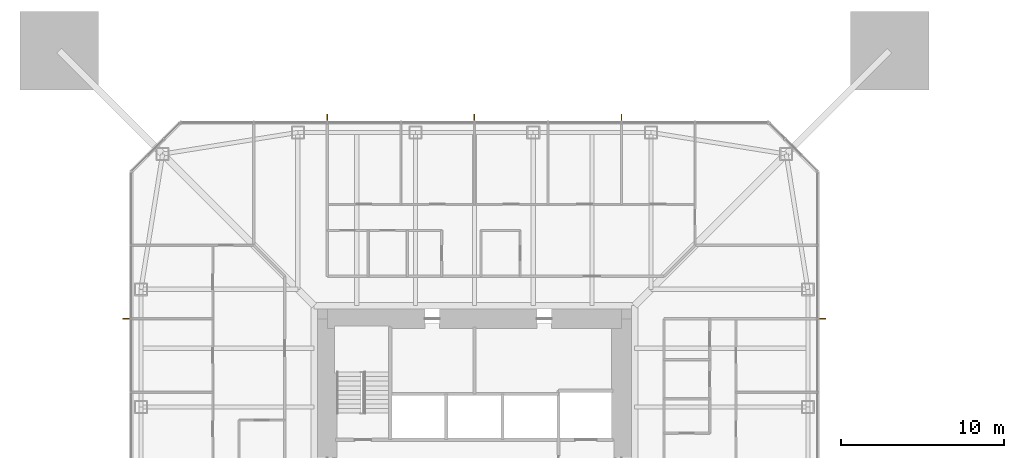
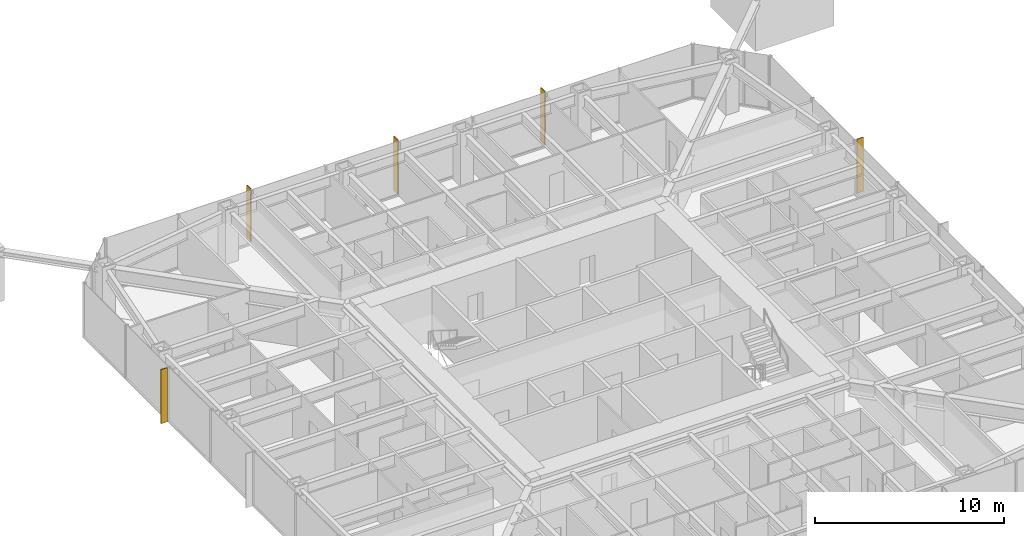
# One storey, part 24 of 25: 5 shading devices.
"""IFC4 building model written with IfcOpenShell, lengths in metres."""

from ifc_helpers import new_model, si_unit, direction, frame, origin, origin_2d, place, context, subcontext, project, spatial, rectangle, extrude, material, layer, layer_set, type_object, element, save


model = new_model("IFC4")

# Units and contexts
model_context = context("Model", 3, precision=1e-05, world=origin(), true_north=direction((0.0, 1.0)))
body_context = subcontext(model_context, "Body", "Model", "MODEL_VIEW")
ifc_project = project(units=[si_unit("LENGTHUNIT", "METRE"), si_unit("AREAUNIT", "SQUARE_METRE"), si_unit("VOLUMEUNIT", "CUBIC_METRE"), si_unit("PLANEANGLEUNIT", "RADIAN"), si_unit("MASSUNIT", "GRAM", prefix="KILO")], contexts=[model_context])

# Site, building, storey
site_placement = place(None, origin())
site = spatial("IfcSite", under=ifc_project, at=site_placement, CompositionType="ELEMENT")
building_placement = place(site_placement, origin())
building = spatial("IfcBuilding", under=site, at=building_placement, Name="Iwan Alto Co-Living Towers", CompositionType="ELEMENT")
storey_placement = place(building_placement, frame((0.0, 0.0, 87.5)))
storey = spatial("IfcBuildingStorey", under=building, at=storey_placement, Name="L23", CompositionType="ELEMENT", Elevation=87.5)

# Shading devices
ifc_material = material(Name="Aluminium 6063-T6 bronze anodised", Category="aluminium")
ifc_layer = layer(ifc_material, 0.050048828125)
ifc_layer_set = layer_set([ifc_layer], Name="BRONZE FIN 50X400")
shading_device_type = type_object("IfcShadingDeviceType", Name="BRONZE FIN 50X400", PredefinedType="USERDEFINED", material=ifc_layer_set)
for number, where, z_axis, x_axis, name in (
    (1, (21.300048828125, 9.0, 0.0), (0.0, 0.0, 1.0), (0.0, 1.0, 0.0), "Bronze fin L23"),
    (2, (9.0, 21.300048828125, 0.0), (0.0, 0.0, 1.0), (-1.0, 0.0, 0.0), "Bronze fin L23"),
    (3, (0.0, 21.300048828125, 0.0), (0.0, 0.0, 1.0), (-1.0, 0.0, 0.0), "Bronze fin L23"),
    (4, (-9.0, 21.300048828125, 0.0), (0.0, 0.0, 1.0), (-1.0, 0.0, 0.0), "Bronze fin L23"),
    (5, (-21.300048828125, 9.0, 0.0), (0.0, 0.0, 1.0), (0.0, -1.0, 0.0), "Bronze fin L23"),
):
    element("IfcShadingDevice", number, at=place(storey_placement, frame(where, z_axis=z_axis, x_axis=x_axis)), inside=storey, type_object=shading_device_type, Name=name, ObjectType="LOUVER", PredefinedType="USERDEFINED", context=body_context, shape_type="SweptSolid", body=[
        extrude(rectangle(XDim=0.050048828125, YDim=0.39990234375, at=origin_2d()), origin(), (0.0, 0.0, 1.0), 3.5),
    ])

save(model, "model.ifc")
